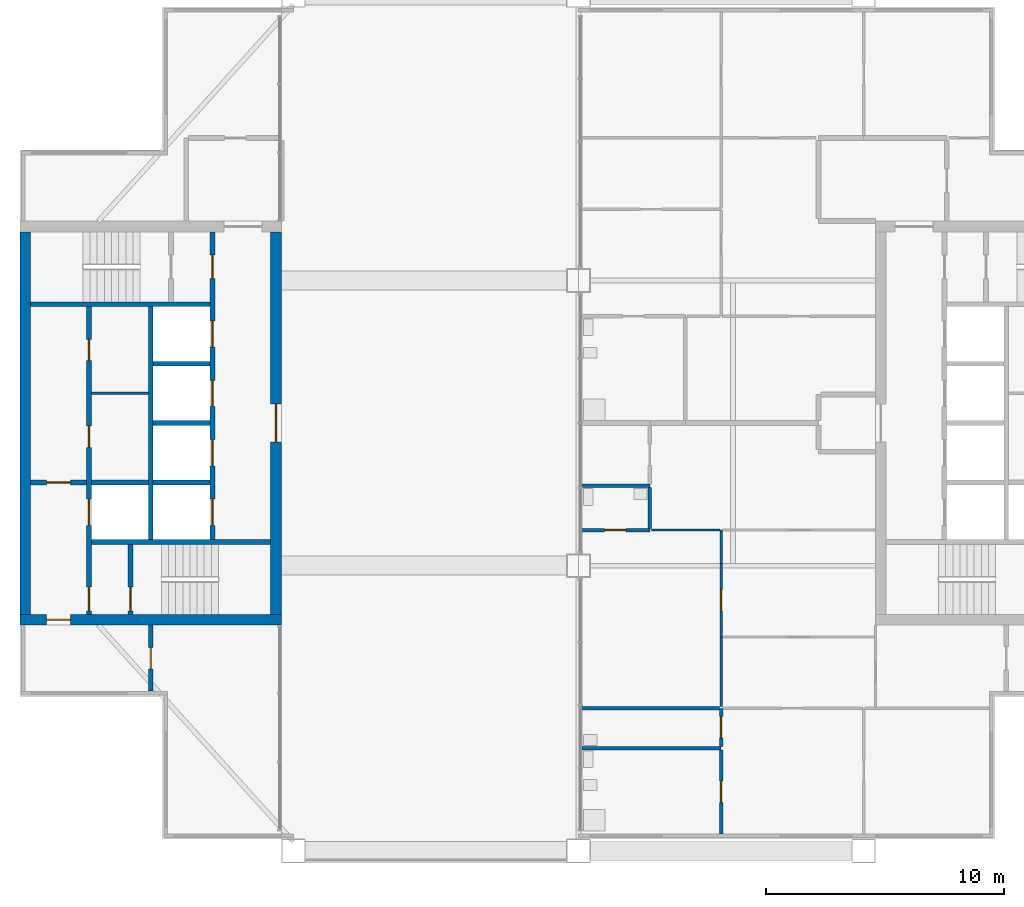
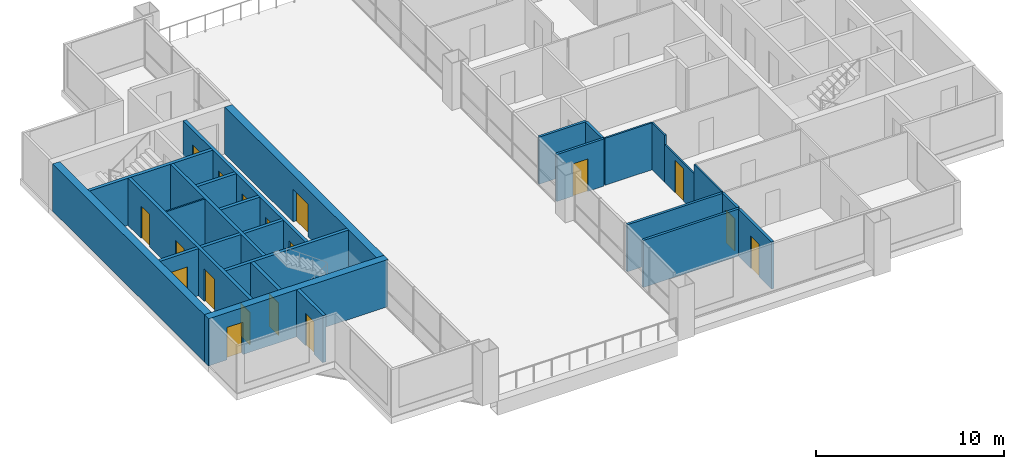
# One storey, part 7 of 12: 27 walls, 18 doors, 18 openings.
"""IFC4 building model written with IfcOpenShell, lengths in metres."""

from ifc_helpers import new_model, si_unit, direction, frame, frame_2d, origin, place, context, subcontext, project, spatial, rectangle, extrude, material, layer, layer_set, type_object, element, fill, save


model = new_model("IFC4")

# Units and contexts
model_context = context("Model", 3, precision=1e-05, world=origin(), true_north=direction((0.0, 1.0)))
body_context = subcontext(model_context, "Body", "Model", "MODEL_VIEW")
ifc_project = project(units=[si_unit("LENGTHUNIT", "METRE"), si_unit("AREAUNIT", "SQUARE_METRE"), si_unit("VOLUMEUNIT", "CUBIC_METRE"), si_unit("PLANEANGLEUNIT", "RADIAN"), si_unit("MASSUNIT", "GRAM", prefix="KILO")], contexts=[model_context])

# Site, building, storey
site_placement = place(None, origin())
site = spatial("IfcSite", under=ifc_project, at=site_placement, CompositionType="ELEMENT")
building_placement = place(site_placement, origin())
building = spatial("IfcBuilding", under=site, at=building_placement, Name="Kitamizu Gate Tower and Museum", CompositionType="ELEMENT")
storey_placement = place(building_placement, frame((0.0, 0.0, 249.0)))
storey = spatial("IfcBuildingStorey", under=building, at=storey_placement, Name="L67", CompositionType="ELEMENT", Elevation=249.0)

# Wall, opening, door
ifc_material_1 = material(Name="Concrete Fc42", Category="concrete")
ifc_layer_1 = layer(ifc_material_1, 0.449951171875)
ifc_layer_set_1 = layer_set([ifc_layer_1], Name="Concrete Fc42")
wall_type_1 = type_object("IfcWallType", Name="Core wall 450", PredefinedType="SHEAR", material=ifc_layer_set_1)
wall_1_placement = place(storey_placement, frame((12.5, 21.72509765625, 0.0), z_axis=(0.0, 0.0, 1.0), x_axis=(1.0, 0.0, 0.0)))
wall_1 = element("IfcWall", 1, at=wall_1_placement, inside=storey, type_object=wall_type_1, Name="Core wall WS", PredefinedType="SHEAR", context=body_context, shape_type="SweptSolid", body=[
    extrude(rectangle(XDim=11.0, YDim=0.449951171875, at=frame_2d((5.5, 0.0))), origin(), (0.0, 0.0, 1.0), 3.050048828125),
])
opening_1_placement = place(wall_1_placement, frame((1.125, 0.0, 0.0)))
opening_1 = element("IfcOpeningElement", 2, at=opening_1_placement, cuts=wall_1, Name="Opening L67-028", PredefinedType="OPENING", context=body_context, shape_type="SweptSolid", body=[
    extrude(rectangle(XDim=1.0, YDim=2.10009765625, at=frame_2d((0.5, 1.050048828125))), frame((0.0, 0.23486328125, 0.0), z_axis=(0.0, -1.0, 0.0), x_axis=(1.0, 0.0, 0.0)), (0.0, 0.0, 1.0), 0.469970703125),
])
ifc_material_2 = material(Name="Hollow metal door set")
door_type_1 = type_object("IfcDoorType", Name="Fire door 1000", OperationType="NOTDEFINED", PredefinedType="DOOR", material=ifc_material_2)
door_1_placement = place(opening_1_placement, origin())
door_1 = element("IfcDoor", 3, at=door_1_placement, inside=storey, type_object=door_type_1, Name="Fire-fighting lobby door L67-028", OperationType="SINGLE_SWING_RIGHT", OverallHeight=2.10009765625, OverallWidth=1.0, PredefinedType="DOOR", context=body_context, shape_type="SweptSolid", body=[
    extrude(rectangle(XDim=1.0, YDim=2.10009765625, at=frame_2d((0.5, 1.050048828125))), frame((0.0, 0.02490234375, 0.0), z_axis=(0.0, -1.0, 0.0), x_axis=(1.0, 0.0, 0.0)), (0.0, 0.0, 1.0), 0.050048828125),
])
fill(opening_1, door_1)

# Wall
wall_2_placement = place(storey_placement, frame((12.72509765625, 21.949951171875, 0.0), z_axis=(0.0, 0.0, 1.0), x_axis=(0.0, 1.0, 0.0)))
element("IfcWall", 4, at=wall_2_placement, inside=storey, type_object=wall_type_1, Name="Core wall WOUT", PredefinedType="SHEAR", context=body_context, shape_type="SweptSolid", body=[
    extrude(rectangle(XDim=16.10009765625, YDim=0.449951171875, at=frame_2d((8.050048828125, 0.0))), origin(), (0.0, 0.0, 1.0), 3.050048828125),
])

# Wall, opening, door
wall_3_placement = place(storey_placement, frame((23.27490234375, 21.949951171875, 0.0), z_axis=(0.0, 0.0, 1.0), x_axis=(0.0, 1.0, 0.0)))
wall_3 = element("IfcWall", 5, at=wall_3_placement, inside=storey, type_object=wall_type_1, Name="Core wall WARC", PredefinedType="SHEAR", context=body_context, shape_type="SweptSolid", body=[
    extrude(rectangle(XDim=16.10009765625, YDim=0.449951171875, at=frame_2d((8.050048828125, 0.0))), origin(), (0.0, 0.0, 1.0), 3.050048828125),
])
opening_2_placement = place(wall_3_placement, frame((7.25, 0.0, 0.0)))
opening_2 = element("IfcOpeningElement", 6, at=opening_2_placement, cuts=wall_3, Name="Opening L67-030", PredefinedType="OPENING", context=body_context, shape_type="SweptSolid", body=[
    extrude(rectangle(XDim=1.60009765625, YDim=2.10009765625, at=frame_2d((0.800048828125, 1.050048828125))), frame((0.0, 0.23486328125, 0.0), z_axis=(0.0, -1.0, 0.0), x_axis=(1.0, 0.0, 0.0)), (0.0, 0.0, 1.0), 0.469970703125),
])
ifc_material_3 = material(Name="Timber door set", Category="wood")
door_type_2 = type_object("IfcDoorType", Name="Entrance door 1600", OperationType="DOUBLE_DOOR_SINGLE_SWING", PredefinedType="DOOR", material=ifc_material_3)
door_2_placement = place(opening_2_placement, frame((1.60009765625, 0.0, 0.0), x_axis=(-1.0, 0.0, 0.0)))
door_2 = element("IfcDoor", 7, at=door_2_placement, inside=storey, type_object=door_type_2, Name="Lobby door L67-030", OperationType="DOUBLE_DOOR_SINGLE_SWING", OverallHeight=2.10009765625, OverallWidth=1.60009765625, PredefinedType="DOOR", context=body_context, shape_type="SweptSolid", body=[
    extrude(rectangle(XDim=1.60009765625, YDim=2.10009765625, at=frame_2d((0.800048828125, 1.050048828125))), frame((0.0, 0.02490234375, 0.0), z_axis=(0.0, -1.0, 0.0), x_axis=(1.0, 0.0, 0.0)), (0.0, 0.0, 1.0), 0.050048828125),
])
fill(opening_2, door_2)

# Walls
ifc_material_4 = material(Name="Gypsum board on galvanised stud")
ifc_layer_2 = layer(ifc_material_4, 0.10009765625)
ifc_layer_set_2 = layer_set([ifc_layer_2], Name="Gypsum board on galvanised stud")
wall_type_2 = type_object("IfcWallType", Name="Partition 100", PredefinedType="PARTITIONING", material=ifc_layer_set_2)
wall_4_placement = place(storey_placement, frame((15.5, 31.25, 0.0), z_axis=(0.0, 0.0, 1.0), x_axis=(1.0, 0.0, 0.0)))
element("IfcWall", 8, at=wall_4_placement, inside=storey, type_object=wall_type_2, Name="Partition WPF1", PredefinedType="PARTITIONING", context=body_context, shape_type="SweptSolid", body=[
    extrude(rectangle(XDim=2.39990234375, YDim=0.10009765625, at=frame_2d((1.199951171875, 0.0))), origin(), (0.0, 0.0, 1.0), 3.050048828125),
])
ifc_material_5 = material(Name="Gypsum board on galvanised stud")
ifc_layer_3 = layer(ifc_material_5, 0.10009765625)
ifc_layer_set_3 = layer_set([ifc_layer_3], Name="Gypsum board on galvanised stud")
wall_type_3 = type_object("IfcWallType", Name="Partition 100 NOT RATED", PredefinedType="PARTITIONING", material=ifc_layer_set_3)
wall_5_placement = place(storey_placement, frame((42.0, 18.074951171875, 0.0), z_axis=(0.0, 0.0, 1.0), x_axis=(0.0, 1.0, 0.0)))
element("IfcWall", 9, at=wall_5_placement, inside=storey, type_object=wall_type_3, Name="Partition L67-016", PredefinedType="PARTITIONING", context=body_context, shape_type="SweptSolid", body=[
    extrude(rectangle(XDim=2.925048828125, YDim=0.10009765625, at=frame_2d((1.46240234375, 0.0))), origin(), (0.0, 0.0, 1.0), 3.050048828125),
])

# Wall, opening, door
wall_6_placement = place(storey_placement, frame((42.0, 21.0, 0.0), z_axis=(0.0, 0.0, 1.0), x_axis=(0.0, 1.0, 0.0)))
wall_6 = element("IfcWall", 10, at=wall_6_placement, inside=storey, type_object=wall_type_3, Name="Partition L67-017", PredefinedType="PARTITIONING", context=body_context, shape_type="SweptSolid", body=[
    extrude(rectangle(XDim=3.10009765625, YDim=0.10009765625, at=frame_2d((1.550048828125, 0.0))), origin(), (0.0, 0.0, 1.0), 2.449951171875),
])
opening_3_placement = place(wall_6_placement, frame((1.10009765625, 0.0, 0.0)))
opening_3 = element("IfcOpeningElement", 11, at=opening_3_placement, cuts=wall_6, Name="Opening L67-008", PredefinedType="OPENING", context=body_context, shape_type="SweptSolid", body=[
    extrude(rectangle(XDim=0.89990234375, YDim=2.10009765625, at=frame_2d((0.449951171875, 1.050048828125))), frame((0.0, 0.06005859375, 0.0), z_axis=(0.0, -1.0, 0.0), x_axis=(1.0, 0.0, 0.0)), (0.0, 0.0, 1.0), 0.1201171875),
])
ifc_material_6 = material(Name="Timber door set", Category="wood")
door_type_3 = type_object("IfcDoorType", Name="Room door 900", OperationType="NOTDEFINED", PredefinedType="DOOR", material=ifc_material_6)
door_3_placement = place(opening_3_placement, frame((0.89990234375, 0.0, 0.0), x_axis=(-1.0, 0.0, 0.0)))
door_3 = element("IfcDoor", 12, at=door_3_placement, inside=storey, type_object=door_type_3, Name="Door L67-008", OperationType="SINGLE_SWING_LEFT", OverallHeight=2.10009765625, OverallWidth=0.89990234375, PredefinedType="DOOR", context=body_context, shape_type="SweptSolid", body=[
    extrude(rectangle(XDim=0.89990234375, YDim=2.10009765625, at=frame_2d((0.449951171875, 1.050048828125))), frame((0.0, 0.02490234375, 0.0), z_axis=(0.0, -1.0, 0.0), x_axis=(1.0, 0.0, 0.0)), (0.0, 0.0, 1.0), 0.050048828125),
])
fill(opening_3, door_3)

# Walls
wall_7_placement = place(storey_placement, frame((42.0, 24.10009765625, 0.0), z_axis=(0.0, 0.0, 1.0), x_axis=(0.0, 1.0, 0.0)))
element("IfcWall", 13, at=wall_7_placement, inside=storey, type_object=wall_type_3, Name="Partition L67-018", PredefinedType="PARTITIONING", context=body_context, shape_type="SweptSolid", body=[
    extrude(rectangle(XDim=1.39990234375, YDim=0.10009765625, at=frame_2d((0.699951171875, 0.0))), origin(), (0.0, 0.0, 1.0), 3.050048828125),
])
wall_8_placement = place(storey_placement, frame((41.949951171875, 25.5, 0.0), z_axis=(0.0, 0.0, 1.0), x_axis=(-1.0, 0.0, 0.0)))
element("IfcWall", 14, at=wall_8_placement, inside=storey, type_object=wall_type_3, Name="Partition L67-020", PredefinedType="PARTITIONING", context=body_context, shape_type="SweptSolid", body=[
    extrude(rectangle(XDim=2.875, YDim=0.10009765625, at=frame_2d((1.4375, 0.0))), origin(), (0.0, 0.0, 1.0), 3.050048828125),
])
ifc_material_7 = material(Name="Gypsum board on galvanised stud")
ifc_layer_4 = layer(ifc_material_7, 0.14990234375)
ifc_layer_set_4 = layer_set([ifc_layer_4], Name="Gypsum board on galvanised stud")
wall_type_4 = type_object("IfcWallType", Name="Partition 150", PredefinedType="PARTITIONING", material=ifc_layer_set_4)
wall_9_placement = place(storey_placement, frame((42.0, 16.320068359375, 0.0), z_axis=(0.0, 0.0, 1.0), x_axis=(-1.0, 0.0, 0.0)))
element("IfcWall", 15, at=wall_9_placement, inside=storey, type_object=wall_type_4, Name="Partition L67-005", PredefinedType="PARTITIONING", context=body_context, shape_type="SweptSolid", body=[
    extrude(rectangle(XDim=5.89990234375, YDim=0.14990234375, at=frame_2d((2.949951171875, 0.0))), origin(), (0.0, 0.0, 1.0), 3.050048828125),
])

# Wall, opening, door
wall_10_placement = place(storey_placement, frame((42.0, 12.719970703125, 0.0), z_axis=(0.0, 0.0, 1.0), x_axis=(0.0, 1.0, 0.0)))
wall_10 = element("IfcWall", 16, at=wall_10_placement, inside=storey, type_object=wall_type_4, Name="Partition L67-006", PredefinedType="PARTITIONING", context=body_context, shape_type="SweptSolid", body=[
    extrude(rectangle(XDim=3.525146484375, YDim=0.14990234375, at=frame_2d((1.7626953125, 0.0))), origin(), (0.0, 0.0, 1.0), 3.050048828125),
])
opening_4_placement = place(wall_10_placement, frame((1.3125, 0.0, 0.0)))
opening_4 = element("IfcOpeningElement", 17, at=opening_4_placement, cuts=wall_10, Name="Opening L67-005", PredefinedType="OPENING", context=body_context, shape_type="SweptSolid", body=[
    extrude(rectangle(XDim=0.89990234375, YDim=2.10009765625, at=frame_2d((0.449951171875, 1.050048828125))), frame((0.0, 0.0849609375, 0.0), z_axis=(0.0, -1.0, 0.0), x_axis=(1.0, 0.0, 0.0)), (0.0, 0.0, 1.0), 0.169921875),
])
ifc_material_8 = material(Name="Timber door set", Category="wood")
door_type_4 = type_object("IfcDoorType", Name="Bathroom door 900", OperationType="NOTDEFINED", PredefinedType="DOOR", material=ifc_material_8)
door_4_placement = place(opening_4_placement, origin())
door_4 = element("IfcDoor", 18, at=door_4_placement, inside=storey, type_object=door_type_4, Name="Bathroom door L67-005", OperationType="SINGLE_SWING_RIGHT", OverallHeight=2.10009765625, OverallWidth=0.89990234375, PredefinedType="DOOR", context=body_context, shape_type="SweptSolid", body=[
    extrude(rectangle(XDim=0.89990234375, YDim=2.10009765625, at=frame_2d((0.449951171875, 1.050048828125))), frame((0.0, 0.02490234375, 0.0), z_axis=(0.0, -1.0, 0.0), x_axis=(1.0, 0.0, 0.0)), (0.0, 0.0, 1.0), 0.050048828125),
])
fill(opening_4, door_4)

wall_11_placement = place(storey_placement, frame((42.0, 16.39501953125, 0.0), z_axis=(0.0, 0.0, 1.0), x_axis=(0.0, 1.0, 0.0)))
wall_11 = element("IfcWall", 19, at=wall_11_placement, inside=storey, type_object=wall_type_4, Name="Partition L67-007", PredefinedType="PARTITIONING", context=body_context, shape_type="SweptSolid", body=[
    extrude(rectangle(XDim=1.60498046875, YDim=0.14990234375, at=frame_2d((0.802490234375, 0.0))), origin(), (0.0, 0.0, 1.0), 3.050048828125),
])
opening_5_placement = place(wall_11_placement, frame((0.3525390625, 0.0, 0.0)))
opening_5 = element("IfcOpeningElement", 20, at=opening_5_placement, cuts=wall_11, Name="Opening L67-006", PredefinedType="OPENING", context=body_context, shape_type="SweptSolid", body=[
    extrude(rectangle(XDim=0.89990234375, YDim=2.10009765625, at=frame_2d((0.449951171875, 1.050048828125))), frame((0.0, 0.0849609375, 0.0), z_axis=(0.0, -1.0, 0.0), x_axis=(1.0, 0.0, 0.0)), (0.0, 0.0, 1.0), 0.169921875),
])
door_5_placement = place(opening_5_placement, origin())
door_5 = element("IfcDoor", 21, at=door_5_placement, inside=storey, type_object=door_type_4, Name="Bathroom door L67-006", OperationType="SINGLE_SWING_LEFT", OverallHeight=2.10009765625, OverallWidth=0.89990234375, PredefinedType="DOOR", context=body_context, shape_type="SweptSolid", body=[
    extrude(rectangle(XDim=0.89990234375, YDim=2.10009765625, at=frame_2d((0.449951171875, 1.050048828125))), frame((0.0, 0.02490234375, 0.0), z_axis=(0.0, -1.0, 0.0), x_axis=(1.0, 0.0, 0.0)), (0.0, 0.0, 1.0), 0.050048828125),
])
fill(opening_5, door_5)

# Wall
wall_12_placement = place(storey_placement, frame((41.925048828125, 18.0, 0.0), z_axis=(0.0, 0.0, 1.0), x_axis=(-1.0, 0.0, 0.0)))
element("IfcWall", 22, at=wall_12_placement, inside=storey, type_object=wall_type_4, Name="Partition L67-008", PredefinedType="PARTITIONING", context=body_context, shape_type="SweptSolid", body=[
    extrude(rectangle(XDim=5.824951171875, YDim=0.14990234375, at=frame_2d((2.91259765625, 0.0))), origin(), (0.0, 0.0, 1.0), 3.050048828125),
])

# Wall, opening, door
wall_13_placement = place(storey_placement, frame((39.0, 25.5, 0.0), z_axis=(0.0, 0.0, 1.0), x_axis=(-1.0, 0.0, 0.0)))
wall_13 = element("IfcWall", 23, at=wall_13_placement, inside=storey, type_object=wall_type_4, Name="Partition L67-019", PredefinedType="PARTITIONING", context=body_context, shape_type="SweptSolid", body=[
    extrude(rectangle(XDim=2.89990234375, YDim=0.14990234375, at=frame_2d((1.449951171875, 0.0))), origin(), (0.0, 0.0, 1.0), 3.050048828125),
])
opening_6_placement = place(wall_13_placement, frame((1.0, 0.0, 0.0)))
opening_6 = element("IfcOpeningElement", 24, at=opening_6_placement, cuts=wall_13, Name="Opening L67-010", PredefinedType="OPENING", context=body_context, shape_type="SweptSolid", body=[
    extrude(rectangle(XDim=0.89990234375, YDim=2.10009765625, at=frame_2d((0.449951171875, 1.050048828125))), frame((0.0, 0.0849609375, 0.0), z_axis=(0.0, -1.0, 0.0), x_axis=(1.0, 0.0, 0.0)), (0.0, 0.0, 1.0), 0.169921875),
])
door_6_placement = place(opening_6_placement, frame((0.89990234375, 0.0, 0.0), x_axis=(-1.0, 0.0, 0.0)))
door_6 = element("IfcDoor", 25, at=door_6_placement, inside=storey, type_object=door_type_4, Name="Bathroom door L67-010", OperationType="SINGLE_SWING_LEFT", OverallHeight=2.10009765625, OverallWidth=0.89990234375, PredefinedType="DOOR", context=body_context, shape_type="SweptSolid", body=[
    extrude(rectangle(XDim=0.89990234375, YDim=2.10009765625, at=frame_2d((0.449951171875, 1.050048828125))), frame((0.0, 0.02490234375, 0.0), z_axis=(0.0, -1.0, 0.0), x_axis=(1.0, 0.0, 0.0)), (0.0, 0.0, 1.0), 0.050048828125),
])
fill(opening_6, door_6)

# Walls
wall_14_placement = place(storey_placement, frame((39.0, 27.362060546875, 0.0), z_axis=(0.0, 0.0, 1.0), x_axis=(-1.0, 0.0, 0.0)))
element("IfcWall", 26, at=wall_14_placement, inside=storey, type_object=wall_type_4, Name="Partition L67-023", PredefinedType="PARTITIONING", context=body_context, shape_type="SweptSolid", body=[
    extrude(rectangle(XDim=2.89990234375, YDim=0.14990234375, at=frame_2d((1.449951171875, 0.0))), origin(), (0.0, 0.0, 1.0), 3.050048828125),
])
wall_15_placement = place(storey_placement, frame((39.0, 25.574951171875, 0.0), z_axis=(0.0, 0.0, 1.0), x_axis=(0.0, 1.0, 0.0)))
element("IfcWall", 27, at=wall_15_placement, inside=storey, type_object=wall_type_4, Name="Partition L67-024", PredefinedType="PARTITIONING", context=body_context, shape_type="SweptSolid", body=[
    extrude(rectangle(XDim=1.712158203125, YDim=0.14990234375, at=frame_2d((0.85595703125, 0.0))), origin(), (0.0, 0.0, 1.0), 3.050048828125),
])

# Wall, opening, door
ifc_material_9 = material(Name="Gypsum board on galvanised stud")
ifc_layer_5 = layer(ifc_material_9, 0.199951171875)
ifc_layer_set_5 = layer_set([ifc_layer_5], Name="Gypsum board on galvanised stud")
wall_type_5 = type_object("IfcWallType", Name="Partition 200", PredefinedType="PARTITIONING", material=ifc_layer_set_5)
wall_16_placement = place(storey_placement, frame((18.0, 21.5, 0.0), z_axis=(0.0, 0.0, 1.0), x_axis=(0.0, -1.0, 0.0)))
wall_16 = element("IfcWall", 28, at=wall_16_placement, inside=storey, type_object=wall_type_5, Name="Partition L67-001", PredefinedType="PARTITIONING", context=body_context, shape_type="SweptSolid", body=[
    extrude(rectangle(XDim=2.780029296875, YDim=0.199951171875, at=frame_2d((1.39013671875, 0.0))), origin(), (0.0, 0.0, 1.0), 3.050048828125),
])
opening_7_placement = place(wall_16_placement, frame((0.93994140625, 0.0, 0.0)))
opening_7 = element("IfcOpeningElement", 29, at=opening_7_placement, cuts=wall_16, Name="Opening L67-021", PredefinedType="OPENING", context=body_context, shape_type="SweptSolid", body=[
    extrude(rectangle(XDim=0.89990234375, YDim=2.10009765625, at=frame_2d((0.449951171875, 1.050048828125))), frame((0.0, 0.10986328125, 0.0), z_axis=(0.0, -1.0, 0.0), x_axis=(1.0, 0.0, 0.0)), (0.0, 0.0, 1.0), 0.219970703125),
])
door_7_placement = place(opening_7_placement, origin())
door_7 = element("IfcDoor", 30, at=door_7_placement, inside=storey, type_object=door_type_3, Name="Door L67-021", OperationType="SINGLE_SWING_LEFT", OverallHeight=2.10009765625, OverallWidth=0.89990234375, PredefinedType="DOOR", context=body_context, shape_type="SweptSolid", body=[
    extrude(rectangle(XDim=0.89990234375, YDim=2.10009765625, at=frame_2d((0.449951171875, 1.050048828125))), frame((0.0, 0.02490234375, 0.0), z_axis=(0.0, -1.0, 0.0), x_axis=(1.0, 0.0, 0.0)), (0.0, 0.0, 1.0), 0.050048828125),
])
fill(opening_7, door_7)

# Wall, openings, doors
ifc_material_10 = material(Name="Concrete Fc42", Category="concrete")
ifc_layer_6 = layer(ifc_material_10, 0.199951171875)
ifc_layer_set_6 = layer_set([ifc_layer_6], Name="Concrete Fc42")
wall_type_6 = type_object("IfcWallType", Name="Shaft wall 200", PredefinedType="SOLIDWALL", material=ifc_layer_set_6)
wall_17_placement = place(storey_placement, frame((15.39990234375, 21.949951171875, 0.0), z_axis=(0.0, 0.0, 1.0), x_axis=(0.0, 1.0, 0.0)))
wall_17 = element("IfcWall", 31, at=wall_17_placement, inside=storey, type_object=wall_type_6, Name="Shaft wall WWEST", PredefinedType="SOLIDWALL", context=body_context, shape_type="SweptSolid", body=[
    extrude(rectangle(XDim=12.949951171875, YDim=0.199951171875, at=frame_2d((6.47509765625, 0.0))), origin(), (0.0, 0.0, 1.0), 3.050048828125),
])
opening_8_placement = place(wall_17_placement, frame((3.75, 0.0, 0.0)))
opening_8 = element("IfcOpeningElement", 32, at=opening_8_placement, cuts=wall_17, Name="Opening LD", PredefinedType="OPENING", context=body_context, shape_type="SweptSolid", body=[
    extrude(rectangle(XDim=1.10009765625, YDim=2.10009765625, at=frame_2d((0.550048828125, 1.050048828125))), frame((0.0, 0.10986328125, 0.0), z_axis=(0.0, -1.0, 0.0), x_axis=(1.0, 0.0, 0.0)), (0.0, 0.0, 1.0), 0.219970703125),
])
opening_9_placement = place(wall_17_placement, frame((0.14990234375, 0.0, 0.0)))
opening_9 = element("IfcOpeningElement", 33, at=opening_9_placement, cuts=wall_17, Name="Opening L67-024", PredefinedType="OPENING", context=body_context, shape_type="SweptSolid", body=[
    extrude(rectangle(XDim=1.0, YDim=2.10009765625, at=frame_2d((0.5, 1.050048828125))), frame((0.0, 0.10986328125, 0.0), z_axis=(0.0, -1.0, 0.0), x_axis=(1.0, 0.0, 0.0)), (0.0, 0.0, 1.0), 0.219970703125),
])
opening_10_placement = place(wall_17_placement, frame((7.02490234375, 0.0, 0.0)))
opening_10 = element("IfcOpeningElement", 34, at=opening_10_placement, cuts=wall_17, Name="Opening L67-031", PredefinedType="OPENING", context=body_context, shape_type="SweptSolid", body=[
    extrude(rectangle(XDim=0.89990234375, YDim=2.10009765625, at=frame_2d((0.449951171875, 1.050048828125))), frame((0.0, 0.10986328125, 0.0), z_axis=(0.0, -1.0, 0.0), x_axis=(1.0, 0.0, 0.0)), (0.0, 0.0, 1.0), 0.219970703125),
])
opening_11_placement = place(wall_17_placement, frame((10.675048828125, 0.0, 0.0)))
opening_11 = element("IfcOpeningElement", 35, at=opening_11_placement, cuts=wall_17, Name="Opening L67-032", PredefinedType="OPENING", context=body_context, shape_type="SweptSolid", body=[
    extrude(rectangle(XDim=0.89990234375, YDim=2.10009765625, at=frame_2d((0.449951171875, 1.050048828125))), frame((0.0, 0.10986328125, 0.0), z_axis=(0.0, -1.0, 0.0), x_axis=(1.0, 0.0, 0.0)), (0.0, 0.0, 1.0), 0.219970703125),
])
door_8_placement = place(opening_9_placement, frame((1.0, 0.0, 0.0), x_axis=(-1.0, 0.0, 0.0)))
door_8 = element("IfcDoor", 36, at=door_8_placement, inside=storey, type_object=door_type_1, Name="Stair lobby door L67-024", OperationType="SINGLE_SWING_LEFT", OverallHeight=2.10009765625, OverallWidth=1.0, PredefinedType="DOOR", context=body_context, shape_type="SweptSolid", body=[
    extrude(rectangle(XDim=1.0, YDim=2.10009765625, at=frame_2d((0.5, 1.050048828125))), frame((0.0, 0.02490234375, 0.0), z_axis=(0.0, -1.0, 0.0), x_axis=(1.0, 0.0, 0.0)), (0.0, 0.0, 1.0), 0.050048828125),
])
fill(opening_9, door_8)
ifc_material_11 = material(Name="Hollow metal door set")
door_type_5 = type_object("IfcDoorType", Name="Landing door 1100", OperationType="SLIDING_TO_LEFT", PredefinedType="DOOR", material=ifc_material_11)
door_9_placement = place(opening_8_placement, origin())
door_9 = element("IfcDoor", 37, at=door_9_placement, inside=storey, type_object=door_type_5, Name="Landing door WFF1", OperationType="SLIDING_TO_LEFT", OverallHeight=2.10009765625, OverallWidth=1.10009765625, PredefinedType="DOOR", context=body_context, shape_type="SweptSolid", body=[
    extrude(rectangle(XDim=1.10009765625, YDim=2.10009765625, at=frame_2d((0.550048828125, 1.050048828125))), frame((0.0, 0.02490234375, 0.0), z_axis=(0.0, -1.0, 0.0), x_axis=(1.0, 0.0, 0.0)), (0.0, 0.0, 1.0), 0.050048828125),
])
fill(opening_8, door_9)
ifc_material_12 = material(Name="Timber door set", Category="wood")
door_type_6 = type_object("IfcDoorType", Name="Service door 900", OperationType="NOTDEFINED", PredefinedType="DOOR", material=ifc_material_12)
door_10_placement = place(opening_10_placement, frame((0.89990234375, 0.0, 0.0), x_axis=(-1.0, 0.0, 0.0)))
door_10 = element("IfcDoor", 38, at=door_10_placement, inside=storey, type_object=door_type_6, Name="Service door L67-031", OperationType="SINGLE_SWING_RIGHT", OverallHeight=2.10009765625, OverallWidth=0.89990234375, PredefinedType="DOOR", context=body_context, shape_type="SweptSolid", body=[
    extrude(rectangle(XDim=0.89990234375, YDim=2.10009765625, at=frame_2d((0.449951171875, 1.050048828125))), frame((0.0, 0.02490234375, 0.0), z_axis=(0.0, -1.0, 0.0), x_axis=(1.0, 0.0, 0.0)), (0.0, 0.0, 1.0), 0.050048828125),
])
fill(opening_10, door_10)
door_11_placement = place(opening_11_placement, frame((0.89990234375, 0.0, 0.0), x_axis=(-1.0, 0.0, 0.0)))
door_11 = element("IfcDoor", 39, at=door_11_placement, inside=storey, type_object=door_type_6, Name="Service door L67-032", OperationType="SINGLE_SWING_LEFT", OverallHeight=2.10009765625, OverallWidth=0.89990234375, PredefinedType="DOOR", context=body_context, shape_type="SweptSolid", body=[
    extrude(rectangle(XDim=0.89990234375, YDim=2.10009765625, at=frame_2d((0.449951171875, 1.050048828125))), frame((0.0, 0.02490234375, 0.0), z_axis=(0.0, -1.0, 0.0), x_axis=(1.0, 0.0, 0.0)), (0.0, 0.0, 1.0), 0.050048828125),
])
fill(opening_11, door_11)

wall_18_placement = place(storey_placement, frame((20.60009765625, 25.10009765625, 0.0), z_axis=(0.0, 0.0, 1.0), x_axis=(0.0, 1.0, 0.0)))
wall_18 = element("IfcWall", 40, at=wall_18_placement, inside=storey, type_object=wall_type_6, Name="Shaft wall WEAST", PredefinedType="SOLIDWALL", context=body_context, shape_type="SweptSolid", body=[
    extrude(rectangle(XDim=12.949951171875, YDim=0.199951171875, at=frame_2d((6.47509765625, 0.0))), origin(), (0.0, 0.0, 1.0), 3.050048828125),
])
opening_12_placement = place(wall_18_placement, frame((0.60009765625, 0.0, 0.0)))
opening_12 = element("IfcOpeningElement", 41, at=opening_12_placement, cuts=wall_18, Name="Opening LD", PredefinedType="OPENING", context=body_context, shape_type="SweptSolid", body=[
    extrude(rectangle(XDim=1.10009765625, YDim=2.10009765625, at=frame_2d((0.550048828125, 1.050048828125))), frame((0.0, 0.10986328125, 0.0), z_axis=(0.0, -1.0, 0.0), x_axis=(1.0, 0.0, 0.0)), (0.0, 0.0, 1.0), 0.219970703125),
])
opening_13_placement = place(wall_18_placement, frame((3.10009765625, 0.0, 0.0)))
opening_13 = element("IfcOpeningElement", 42, at=opening_13_placement, cuts=wall_18, Name="Opening LD", PredefinedType="OPENING", context=body_context, shape_type="SweptSolid", body=[
    extrude(rectangle(XDim=1.10009765625, YDim=2.10009765625, at=frame_2d((0.550048828125, 1.050048828125))), frame((0.0, 0.10986328125, 0.0), z_axis=(0.0, -1.0, 0.0), x_axis=(1.0, 0.0, 0.0)), (0.0, 0.0, 1.0), 0.219970703125),
])
opening_14_placement = place(wall_18_placement, frame((5.60009765625, 0.0, 0.0)))
opening_14 = element("IfcOpeningElement", 43, at=opening_14_placement, cuts=wall_18, Name="Opening LD", PredefinedType="OPENING", context=body_context, shape_type="SweptSolid", body=[
    extrude(rectangle(XDim=1.10009765625, YDim=2.10009765625, at=frame_2d((0.550048828125, 1.050048828125))), frame((0.0, 0.10986328125, 0.0), z_axis=(0.0, -1.0, 0.0), x_axis=(1.0, 0.0, 0.0)), (0.0, 0.0, 1.0), 0.219970703125),
])
opening_15_placement = place(wall_18_placement, frame((8.10009765625, 0.0, 0.0)))
opening_15 = element("IfcOpeningElement", 44, at=opening_15_placement, cuts=wall_18, Name="Opening LD", PredefinedType="OPENING", context=body_context, shape_type="SweptSolid", body=[
    extrude(rectangle(XDim=1.10009765625, YDim=2.10009765625, at=frame_2d((0.550048828125, 1.050048828125))), frame((0.0, 0.10986328125, 0.0), z_axis=(0.0, -1.0, 0.0), x_axis=(1.0, 0.0, 0.0)), (0.0, 0.0, 1.0), 0.219970703125),
])
opening_16_placement = place(wall_18_placement, frame((10.97509765625, 0.0, 0.0)))
opening_16 = element("IfcOpeningElement", 45, at=opening_16_placement, cuts=wall_18, Name="Opening L67-025", PredefinedType="OPENING", context=body_context, shape_type="SweptSolid", body=[
    extrude(rectangle(XDim=1.0, YDim=2.10009765625, at=frame_2d((0.5, 1.050048828125))), frame((0.0, 0.10986328125, 0.0), z_axis=(0.0, -1.0, 0.0), x_axis=(1.0, 0.0, 0.0)), (0.0, 0.0, 1.0), 0.219970703125),
])
door_12_placement = place(opening_16_placement, origin())
door_12 = element("IfcDoor", 46, at=door_12_placement, inside=storey, type_object=door_type_1, Name="Stair lobby door L67-025", OperationType="SINGLE_SWING_LEFT", OverallHeight=2.10009765625, OverallWidth=1.0, PredefinedType="DOOR", context=body_context, shape_type="SweptSolid", body=[
    extrude(rectangle(XDim=1.0, YDim=2.10009765625, at=frame_2d((0.5, 1.050048828125))), frame((0.0, 0.02490234375, 0.0), z_axis=(0.0, -1.0, 0.0), x_axis=(1.0, 0.0, 0.0)), (0.0, 0.0, 1.0), 0.050048828125),
])
fill(opening_16, door_12)
door_13_placement = place(opening_12_placement, origin())
door_13 = element("IfcDoor", 47, at=door_13_placement, inside=storey, type_object=door_type_5, Name="Landing door WSV1", OperationType="SLIDING_TO_LEFT", OverallHeight=2.10009765625, OverallWidth=1.10009765625, PredefinedType="DOOR", context=body_context, shape_type="SweptSolid", body=[
    extrude(rectangle(XDim=1.10009765625, YDim=2.10009765625, at=frame_2d((0.550048828125, 1.050048828125))), frame((0.0, 0.02490234375, 0.0), z_axis=(0.0, -1.0, 0.0), x_axis=(1.0, 0.0, 0.0)), (0.0, 0.0, 1.0), 0.050048828125),
])
fill(opening_12, door_13)
door_14_placement = place(opening_13_placement, origin())
door_14 = element("IfcDoor", 48, at=door_14_placement, inside=storey, type_object=door_type_5, Name="Landing door WH1", OperationType="SLIDING_TO_LEFT", OverallHeight=2.10009765625, OverallWidth=1.10009765625, PredefinedType="DOOR", context=body_context, shape_type="SweptSolid", body=[
    extrude(rectangle(XDim=1.10009765625, YDim=2.10009765625, at=frame_2d((0.550048828125, 1.050048828125))), frame((0.0, 0.02490234375, 0.0), z_axis=(0.0, -1.0, 0.0), x_axis=(1.0, 0.0, 0.0)), (0.0, 0.0, 1.0), 0.050048828125),
])
fill(opening_13, door_14)
door_15_placement = place(opening_14_placement, origin())
door_15 = element("IfcDoor", 49, at=door_15_placement, inside=storey, type_object=door_type_5, Name="Landing door WH2", OperationType="SLIDING_TO_LEFT", OverallHeight=2.10009765625, OverallWidth=1.10009765625, PredefinedType="DOOR", context=body_context, shape_type="SweptSolid", body=[
    extrude(rectangle(XDim=1.10009765625, YDim=2.10009765625, at=frame_2d((0.550048828125, 1.050048828125))), frame((0.0, 0.02490234375, 0.0), z_axis=(0.0, -1.0, 0.0), x_axis=(1.0, 0.0, 0.0)), (0.0, 0.0, 1.0), 0.050048828125),
])
fill(opening_14, door_15)
door_16_placement = place(opening_15_placement, origin())
door_16 = element("IfcDoor", 50, at=door_16_placement, inside=storey, type_object=door_type_5, Name="Landing door WH3", OperationType="SLIDING_TO_LEFT", OverallHeight=2.10009765625, OverallWidth=1.10009765625, PredefinedType="DOOR", context=body_context, shape_type="SweptSolid", body=[
    extrude(rectangle(XDim=1.10009765625, YDim=2.10009765625, at=frame_2d((0.550048828125, 1.050048828125))), frame((0.0, 0.02490234375, 0.0), z_axis=(0.0, -1.0, 0.0), x_axis=(1.0, 0.0, 0.0)), (0.0, 0.0, 1.0), 0.050048828125),
])
fill(opening_15, door_16)

# Walls
wall_19_placement = place(storey_placement, frame((18.0, 25.10009765625, 0.0), z_axis=(0.0, 0.0, 1.0), x_axis=(0.0, 1.0, 0.0)))
element("IfcWall", 51, at=wall_19_placement, inside=storey, type_object=wall_type_6, Name="Shaft wall WMID", PredefinedType="SOLIDWALL", context=body_context, shape_type="SweptSolid", body=[
    extrude(rectangle(XDim=9.7998046875, YDim=0.199951171875, at=frame_2d((4.89990234375, 0.0))), origin(), (0.0, 0.0, 1.0), 3.050048828125),
])
for number, where, z_axis, x_axis, name in (
    (52, (15.5, 25.0, 0.0), (0.0, 0.0, 1.0), (1.0, 0.0, 0.0), "Shaft wall WSB"),
    (53, (12.949951171875, 35.0, 0.0), (0.0, 0.0, 1.0), (1.0, 0.0, 0.0), "Shaft wall WNB"),
):
    element("IfcWall", number, at=place(storey_placement, frame(where, z_axis=z_axis, x_axis=x_axis)), inside=storey, type_object=wall_type_6, Name=name, PredefinedType="SOLIDWALL", context=body_context, shape_type="SweptSolid", body=[
        extrude(rectangle(XDim=7.550048828125, YDim=0.199951171875, at=frame_2d((3.77490234375, 0.0))), origin(), (0.0, 0.0, 1.0), 3.050048828125),
    ])

# Wall, opening, door
wall_20_placement = place(storey_placement, frame((12.949951171875, 27.5, 0.0), z_axis=(0.0, 0.0, 1.0), x_axis=(1.0, 0.0, 0.0)))
wall_20 = element("IfcWall", 54, at=wall_20_placement, inside=storey, type_object=wall_type_6, Name="Shaft wall WFFN", PredefinedType="SOLIDWALL", context=body_context, shape_type="SweptSolid", body=[
    extrude(rectangle(XDim=2.35009765625, YDim=0.199951171875, at=frame_2d((1.175048828125, 0.0))), origin(), (0.0, 0.0, 1.0), 3.050048828125),
])
opening_17_placement = place(wall_20_placement, frame((0.675048828125, 0.0, 0.0)))
opening_17 = element("IfcOpeningElement", 55, at=opening_17_placement, cuts=wall_20, Name="Opening L67-027", PredefinedType="OPENING", context=body_context, shape_type="SweptSolid", body=[
    extrude(rectangle(XDim=1.0, YDim=2.10009765625, at=frame_2d((0.5, 1.050048828125))), frame((0.0, 0.10986328125, 0.0), z_axis=(0.0, -1.0, 0.0), x_axis=(1.0, 0.0, 0.0)), (0.0, 0.0, 1.0), 0.219970703125),
])
door_17_placement = place(opening_17_placement, frame((1.0, 0.0, 0.0), x_axis=(-1.0, 0.0, 0.0)))
door_17 = element("IfcDoor", 56, at=door_17_placement, inside=storey, type_object=door_type_1, Name="Fire-fighting lobby door L67-027", OperationType="SINGLE_SWING_RIGHT", OverallHeight=2.10009765625, OverallWidth=1.0, PredefinedType="DOOR", context=body_context, shape_type="SweptSolid", body=[
    extrude(rectangle(XDim=1.0, YDim=2.10009765625, at=frame_2d((0.5, 1.050048828125))), frame((0.0, 0.02490234375, 0.0), z_axis=(0.0, -1.0, 0.0), x_axis=(1.0, 0.0, 0.0)), (0.0, 0.0, 1.0), 0.050048828125),
])
fill(opening_17, door_17)

wall_21_placement = place(storey_placement, frame((17.14990234375, 21.949951171875, 0.0), z_axis=(0.0, 0.0, 1.0), x_axis=(0.0, 1.0, 0.0)))
wall_21 = element("IfcWall", 57, at=wall_21_placement, inside=storey, type_object=wall_type_6, Name="Shaft wall WSZ", PredefinedType="SOLIDWALL", context=body_context, shape_type="SweptSolid", body=[
    extrude(rectangle(XDim=2.949951171875, YDim=0.199951171875, at=frame_2d((1.47509765625, 0.0))), origin(), (0.0, 0.0, 1.0), 3.050048828125),
])
opening_18_placement = place(wall_21_placement, frame((0.14990234375, 0.0, 0.0)))
opening_18 = element("IfcOpeningElement", 58, at=opening_18_placement, cuts=wall_21, Name="Opening L67-023", PredefinedType="OPENING", context=body_context, shape_type="SweptSolid", body=[
    extrude(rectangle(XDim=1.0, YDim=2.10009765625, at=frame_2d((0.5, 1.050048828125))), frame((0.0, 0.10986328125, 0.0), z_axis=(0.0, -1.0, 0.0), x_axis=(1.0, 0.0, 0.0)), (0.0, 0.0, 1.0), 0.219970703125),
])
door_18_placement = place(opening_18_placement, frame((1.0, 0.0, 0.0), x_axis=(-1.0, 0.0, 0.0)))
door_18 = element("IfcDoor", 59, at=door_18_placement, inside=storey, type_object=door_type_1, Name="Stair door L67-023", OperationType="SINGLE_SWING_LEFT", OverallHeight=2.10009765625, OverallWidth=1.0, PredefinedType="DOOR", context=body_context, shape_type="SweptSolid", body=[
    extrude(rectangle(XDim=1.0, YDim=2.10009765625, at=frame_2d((0.5, 1.050048828125))), frame((0.0, 0.02490234375, 0.0), z_axis=(0.0, -1.0, 0.0), x_axis=(1.0, 0.0, 0.0)), (0.0, 0.0, 1.0), 0.050048828125),
])
fill(opening_18, door_18)

# Walls
for number, where, z_axis, x_axis, name in (
    (60, (15.5, 27.5, 0.0), (0.0, 0.0, 1.0), (1.0, 0.0, 0.0), "Shaft wall WDVW0"),
    (61, (18.10009765625, 27.5, 0.0), (0.0, 0.0, 1.0), (1.0, 0.0, 0.0), "Shaft wall WDVE0"),
    (62, (18.10009765625, 30.0, 0.0), (0.0, 0.0, 1.0), (1.0, 0.0, 0.0), "Shaft wall WDVE1"),
    (63, (18.10009765625, 32.5, 0.0), (0.0, 0.0, 1.0), (1.0, 0.0, 0.0), "Shaft wall WDVE2"),
):
    element("IfcWall", number, at=place(storey_placement, frame(where, z_axis=z_axis, x_axis=x_axis)), inside=storey, type_object=wall_type_6, Name=name, PredefinedType="SOLIDWALL", context=body_context, shape_type="SweptSolid", body=[
        extrude(rectangle(XDim=2.39990234375, YDim=0.199951171875, at=frame_2d((1.199951171875, 0.0))), origin(), (0.0, 0.0, 1.0), 3.050048828125),
    ])

save(model, "model.ifc")
